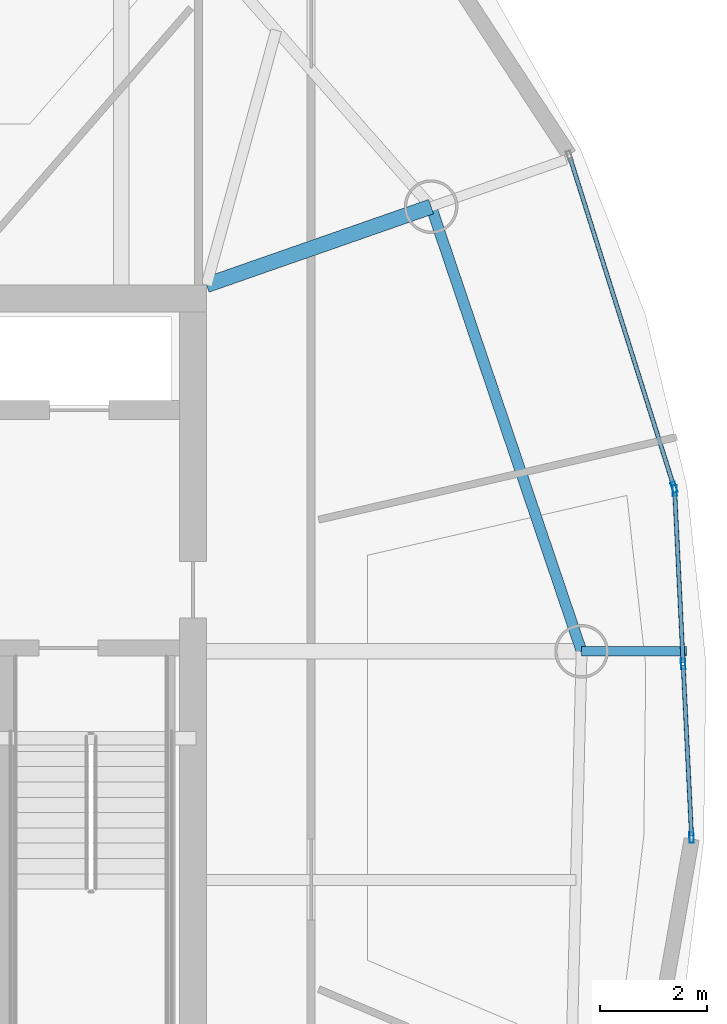
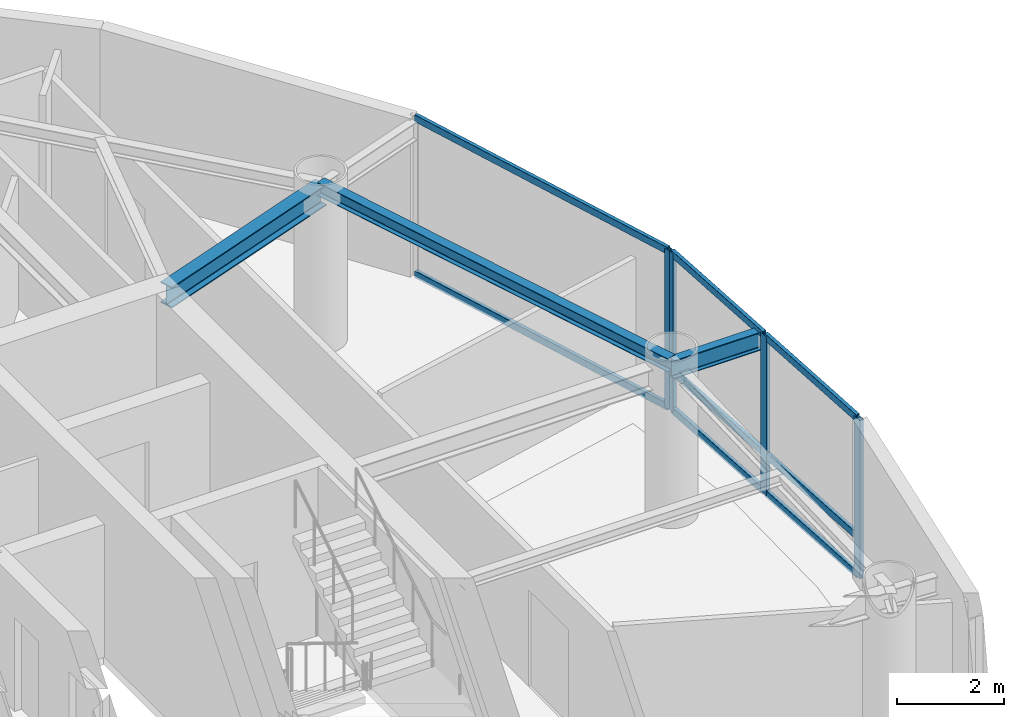
# One storey, part 7 of 19: 12 members, 3 beams, 2 elements without a shape of their own.
"""IFC4 building model written with IfcOpenShell, lengths in metres."""

from ifc_helpers import new_model, si_unit, direction, frame, origin, origin_2d, place, context, subcontext, project, spatial, hollow_rectangle, i_section, extrude, material, layer, layer_set, material_profile, profile_set, type_object, element, aggregate, save


model = new_model("IFC4")

# Units and contexts
model_context = context("Model", 3, precision=1e-05, world=origin(), true_north=direction((0.0, 1.0)))
body_context = subcontext(model_context, "Body", "Model", "MODEL_VIEW")
ifc_project = project(units=[si_unit("LENGTHUNIT", "METRE"), si_unit("AREAUNIT", "SQUARE_METRE"), si_unit("VOLUMEUNIT", "CUBIC_METRE"), si_unit("PLANEANGLEUNIT", "RADIAN"), si_unit("MASSUNIT", "GRAM", prefix="KILO")], contexts=[model_context])

# Site, building, storey
site_placement = place(None, origin())
site = spatial("IfcSite", under=ifc_project, at=site_placement, CompositionType="ELEMENT")
building_placement = place(site_placement, origin())
building = spatial("IfcBuilding", under=site, at=building_placement, Name="Bramvorn Convention Spire", CompositionType="ELEMENT")
storey_placement = place(building_placement, frame((0.0, 0.0, 292.10009765625)))
storey = spatial("IfcBuildingStorey", under=building, at=storey_placement, Name="L74", CompositionType="ELEMENT", Elevation=292.10009765625)

# Beams
ifc_material_1 = material(Name="Steel CSA G40.21 Grade 350 (350W)", Category="steel")
ifc_material_profile_1 = material_profile(ifc_material_1, i_section(OverallWidth=0.202880859375, OverallDepth=0.302978515625, WebThickness=0.007568359375, FlangeThickness=0.01318359375, FilletRadius=0.013916015625, at=origin_2d()))
ifc_profile_set_1 = profile_set([ifc_material_profile_1], Name="Steel CSA G40.21 Grade 350 (350W) - W310X60")
beam_type_1 = type_object("IfcBeamType", Name="BM-W310X60", PredefinedType="JOIST", material=ifc_profile_set_1)
beam_1_placement = place(storey_placement, frame((56.234619140625, 26.62939453125, 3.473388671875), z_axis=(-0.320531023763, 0.947238018032, 0.0), x_axis=(-0.947238018032, -0.320531023763, 0.0)))
element("IfcBeam", 1, at=beam_1_placement, inside=storey, type_object=beam_type_1, Name="L74 mega-column ring beam 04", PredefinedType="JOIST", context=body_context, shape_type="SweptSolid", body=[
    extrude(i_section(OverallWidth=0.202880859375, OverallDepth=0.302978515625, WebThickness=0.007568359375, FlangeThickness=0.01318359375, FilletRadius=0.013916015625, at=origin_2d()), origin(), (0.0, 0.0, 1.0), 8.74169921875),
])
ifc_material_profile_2 = material_profile(ifc_material_1, i_section(OverallWidth=0.180908203125, OverallDepth=0.4169921875, WebThickness=0.010986328125, FlangeThickness=0.018310546875, FilletRadius=0.01611328125, at=origin_2d()))
ifc_profile_set_2 = profile_set([ifc_material_profile_2], Name="Steel CSA G40.21 Grade 350 (350W) - W410X85")
beam_type_2 = type_object("IfcBeamType", Name="BM-W410X85", PredefinedType="JOIST", material=ifc_profile_set_2)
beam_2_placement = place(storey_placement, frame((56.234619140625, 26.62939453125, 3.37646484375), z_axis=(1.0, 0.0, 0.0), x_axis=(0.0, 1.0, 0.0)))
element("IfcBeam", 2, at=beam_2_placement, inside=storey, type_object=beam_type_2, Name="L74 Sky-Garden cantilever tip girder MC04", PredefinedType="JOIST", context=body_context, shape_type="SweptSolid", body=[
    extrude(i_section(OverallWidth=0.180908203125, OverallDepth=0.4169921875, WebThickness=0.010986328125, FlangeThickness=0.018310546875, FilletRadius=0.01611328125, at=origin_2d()), origin(), (0.0, 0.0, 1.0), 1.955078125),
])
ifc_material_profile_3 = material_profile(ifc_material_1, i_section(OverallWidth=0.283935546875, OverallDepth=0.47607421875, WebThickness=0.014892578125, FlangeThickness=0.02392578125, FilletRadius=0.01806640625, at=origin_2d()))
ifc_profile_set_3 = profile_set([ifc_material_profile_3], Name="Steel CSA G40.21 Grade 350 (350W) - W460X158")
beam_type_3 = type_object("IfcBeamType", Name="BM-W460X158", PredefinedType="SPANDREL", material=ifc_profile_set_3)
beam_3_placement = place(storey_placement, frame((49.25, 33.449951171875, 3.346923828125), z_axis=(0.944136391877, 0.329554962843, 0.0), x_axis=(-0.329554962843, 0.944136391877, 0.0)))
element("IfcBeam", 3, at=beam_3_placement, inside=storey, type_object=beam_type_3, Name="L74 Sky-Garden back-span radial girder MC05", PredefinedType="SPANDREL", context=body_context, shape_type="SweptSolid", body=[
    extrude(i_section(OverallWidth=0.283935546875, OverallDepth=0.47607421875, WebThickness=0.014892578125, FlangeThickness=0.02392578125, FilletRadius=0.01806640625, at=origin_2d()), origin(), (0.0, 0.0, 1.0), 4.43017578125),
])

# Curtain wall, members
ifc_material_2 = material(Name="Anodised Bronze Unitised Curtain Wall", Category="aluminium")
ifc_layer = layer(ifc_material_2, 0.179931640625)
ifc_layer_set = layer_set([ifc_layer], Name="Anodised Bronze Unitised Curtain Wall - CW-OFF-FRIT")
curtain_wall_type = type_object("IfcCurtainWallType", Name="CW-OFF-FRIT", PredefinedType="USERDEFINED", material=ifc_layer_set)
curtain_wall_1_placement = place(storey_placement, origin())
curtain_wall_1 = element("IfcCurtainWall", 4, at=curtain_wall_1_placement, inside=storey, type_object=curtain_wall_type, Name="L74 fritted glass curtain wall 05", ObjectType="UNITISED CURTAIN WALL", PredefinedType="USERDEFINED")
ifc_material_3 = material(Name="Anodised Bronze Aluminium 6063-T6", Category="aluminium")
ifc_material_profile_4 = material_profile(ifc_material_3, hollow_rectangle(XDim=0.080078125, YDim=0.199951171875, WallThickness=0.00390625, InnerFilletRadius=0.0009765625, OuterFilletRadius=0.00390625, at=origin_2d()))
ifc_profile_set_4 = profile_set([ifc_material_profile_4], Name="Anodised Bronze Aluminium 6063-T6 - CWM80X200")
member_type_1 = type_object("IfcMemberType", Name="CW-MUL-180", PredefinedType="MULLION", material=ifc_profile_set_4)
member_1_placement = place(storey_placement, frame((57.96826171875, 29.622314453125, 0.0), z_axis=(0.0, 0.0, 1.0), x_axis=(0.998812169246, 0.04872628209, 0.0)))
member_1 = element("IfcMember", 5, at=member_1_placement, type_object=member_type_1, Name="CW3 mullion 1", PredefinedType="MULLION", context=body_context, shape_type="SweptSolid", body=[
    extrude(hollow_rectangle(XDim=0.080078125, YDim=0.199951171875, WallThickness=0.00390625, InnerFilletRadius=0.0009765625, OuterFilletRadius=0.00390625, at=origin_2d()), origin(), (0.0, 0.0, 1.0), 3.625),
])
member_2_placement = place(storey_placement, frame((58.1259765625, 26.39306640625, 0.0), z_axis=(0.0, 0.0, 1.0), x_axis=(0.998812169246, 0.04872628209, 0.0)))
member_2 = element("IfcMember", 6, at=member_2_placement, type_object=member_type_1, Name="CW3 mullion 2", PredefinedType="MULLION", context=body_context, shape_type="SweptSolid", body=[
    extrude(hollow_rectangle(XDim=0.080078125, YDim=0.199951171875, WallThickness=0.00390625, InnerFilletRadius=0.0009765625, OuterFilletRadius=0.00390625, at=origin_2d()), origin(), (0.0, 0.0, 1.0), 3.625),
])
member_3_placement = place(storey_placement, frame((58.283447265625, 23.163818359375, 0.0), z_axis=(0.0, 0.0, 1.0), x_axis=(0.998812169246, 0.04872628209, 0.0)))
member_3 = element("IfcMember", 7, at=member_3_placement, type_object=member_type_1, Name="CW3 mullion 3", PredefinedType="MULLION", context=body_context, shape_type="SweptSolid", body=[
    extrude(hollow_rectangle(XDim=0.080078125, YDim=0.199951171875, WallThickness=0.00390625, InnerFilletRadius=0.0009765625, OuterFilletRadius=0.00390625, at=origin_2d()), origin(), (0.0, 0.0, 1.0), 3.625),
])

# Curtain wall, member
curtain_wall_2_placement = place(storey_placement, origin())
curtain_wall_2 = element("IfcCurtainWall", 8, at=curtain_wall_2_placement, inside=storey, type_object=curtain_wall_type, Name="L74 fritted glass curtain wall 06", ObjectType="UNITISED CURTAIN WALL", PredefinedType="USERDEFINED")
member_4_placement = place(storey_placement, frame((57.957763671875, 29.680908203125, 0.0), z_axis=(0.0, 0.0, 1.0), x_axis=(0.953619475094, 0.301014778245, 0.0)))
member_4 = element("IfcMember", 9, at=member_4_placement, type_object=member_type_1, Name="CW3 mullion 2", PredefinedType="MULLION", context=body_context, shape_type="SweptSolid", body=[
    extrude(hollow_rectangle(XDim=0.080078125, YDim=0.199951171875, WallThickness=0.00390625, InnerFilletRadius=0.0009765625, OuterFilletRadius=0.00390625, at=origin_2d()), origin(), (0.0, 0.0, 1.0), 3.625),
])

# Member
ifc_material_profile_5 = material_profile(ifc_material_3, hollow_rectangle(XDim=0.080078125, YDim=0.159912109375, WallThickness=0.00390625, InnerFilletRadius=0.0009765625, OuterFilletRadius=0.00390625, at=origin_2d()))
ifc_profile_set_5 = profile_set([ifc_material_profile_5], Name="Anodised Bronze Aluminium 6063-T6 - CWT80X160")
member_type_2 = type_object("IfcMemberType", Name="CW-TRN-150", PredefinedType="USERDEFINED", material=ifc_profile_set_5)
member_5_placement = place(storey_placement, frame((57.9697265625, 29.59228515625, 0.02978515625), z_axis=(0.04878246488, -0.998809426828, 0.0), x_axis=(0.998809426828, 0.04878246488, 0.0)))
member_5 = element("IfcMember", 10, at=member_5_placement, type_object=member_type_2, Name="CW3 transom 1.1", ObjectType="TRANSOM", PredefinedType="USERDEFINED", context=body_context, shape_type="SweptSolid", body=[
    extrude(hollow_rectangle(XDim=0.080078125, YDim=0.159912109375, WallThickness=0.00390625, InnerFilletRadius=0.0009765625, OuterFilletRadius=0.00390625, at=origin_2d()), origin(), (0.0, 0.0, 1.0), 3.1728515625),
])

member_6_placement = place(storey_placement, frame((57.9697265625, 29.59228515625, 0.89990234375), z_axis=(0.04878246488, -0.998809426828, 0.0), x_axis=(0.998809426828, 0.04878246488, 0.0)))
member_6 = element("IfcMember", 11, at=member_6_placement, type_object=member_type_2, Name="CW3 transom 1.2", ObjectType="TRANSOM", PredefinedType="USERDEFINED", context=body_context, shape_type="SweptSolid", body=[
    extrude(hollow_rectangle(XDim=0.080078125, YDim=0.159912109375, WallThickness=0.00390625, InnerFilletRadius=0.0009765625, OuterFilletRadius=0.00390625, at=origin_2d()), origin(), (0.0, 0.0, 1.0), 3.1728515625),
])

member_7_placement = place(storey_placement, frame((57.9697265625, 29.59228515625, 3.594970703125), z_axis=(0.04878246488, -0.998809426828, 0.0), x_axis=(0.998809426828, 0.04878246488, 0.0)))
member_7 = element("IfcMember", 12, at=member_7_placement, type_object=member_type_2, Name="CW3 transom 1.3", ObjectType="TRANSOM", PredefinedType="USERDEFINED", context=body_context, shape_type="SweptSolid", body=[
    extrude(hollow_rectangle(XDim=0.080078125, YDim=0.159912109375, WallThickness=0.00390625, InnerFilletRadius=0.0009765625, OuterFilletRadius=0.00390625, at=origin_2d()), origin(), (0.0, 0.0, 1.0), 3.1728515625),
])

member_8_placement = place(storey_placement, frame((58.12744140625, 26.363037109375, 0.02978515625), z_axis=(0.048705703603, -0.998813172939, 0.0), x_axis=(0.998813172939, 0.048705703603, 0.0)))
member_8 = element("IfcMember", 13, at=member_8_placement, type_object=member_type_2, Name="CW3 transom 2.1", ObjectType="TRANSOM", PredefinedType="USERDEFINED", context=body_context, shape_type="SweptSolid", body=[
    extrude(hollow_rectangle(XDim=0.080078125, YDim=0.159912109375, WallThickness=0.00390625, InnerFilletRadius=0.0009765625, OuterFilletRadius=0.00390625, at=origin_2d()), origin(), (0.0, 0.0, 1.0), 3.1728515625),
])

member_9_placement = place(storey_placement, frame((58.12744140625, 26.363037109375, 0.89990234375), z_axis=(0.048705703603, -0.998813172939, 0.0), x_axis=(0.998813172939, 0.048705703603, 0.0)))
member_9 = element("IfcMember", 14, at=member_9_placement, type_object=member_type_2, Name="CW3 transom 2.2", ObjectType="TRANSOM", PredefinedType="USERDEFINED", context=body_context, shape_type="SweptSolid", body=[
    extrude(hollow_rectangle(XDim=0.080078125, YDim=0.159912109375, WallThickness=0.00390625, InnerFilletRadius=0.0009765625, OuterFilletRadius=0.00390625, at=origin_2d()), origin(), (0.0, 0.0, 1.0), 3.1728515625),
])

member_10_placement = place(storey_placement, frame((58.12744140625, 26.363037109375, 3.594970703125), z_axis=(0.048705703603, -0.998813172939, 0.0), x_axis=(0.998813172939, 0.048705703603, 0.0)))
member_10 = element("IfcMember", 15, at=member_10_placement, type_object=member_type_2, Name="CW3 transom 2.3", ObjectType="TRANSOM", PredefinedType="USERDEFINED", context=body_context, shape_type="SweptSolid", body=[
    extrude(hollow_rectangle(XDim=0.080078125, YDim=0.159912109375, WallThickness=0.00390625, InnerFilletRadius=0.0009765625, OuterFilletRadius=0.00390625, at=origin_2d()), origin(), (0.0, 0.0, 1.0), 3.1728515625),
])

aggregate(curtain_wall_1, [member_1, member_2, member_3, member_5, member_6, member_7, member_8, member_9, member_10])

member_11_placement = place(storey_placement, frame((56.020263671875, 35.8193359375, 0.02978515625), z_axis=(0.300994588514, -0.953625847849, 0.0), x_axis=(0.953625847849, 0.300994588514, 0.0)))
member_11 = element("IfcMember", 16, at=member_11_placement, type_object=member_type_2, Name="CW3 transom 1.1", ObjectType="TRANSOM", PredefinedType="USERDEFINED", context=body_context, shape_type="SweptSolid", body=[
    extrude(hollow_rectangle(XDim=0.080078125, YDim=0.159912109375, WallThickness=0.00390625, InnerFilletRadius=0.0009765625, OuterFilletRadius=0.00390625, at=origin_2d()), origin(), (0.0, 0.0, 1.0), 6.406982421875),
])

member_12_placement = place(storey_placement, frame((56.020263671875, 35.8193359375, 3.594970703125), z_axis=(0.300994588514, -0.953625847849, 0.0), x_axis=(0.953625847849, 0.300994588514, 0.0)))
member_12 = element("IfcMember", 17, at=member_12_placement, type_object=member_type_2, Name="CW3 transom 1.2", ObjectType="TRANSOM", PredefinedType="USERDEFINED", context=body_context, shape_type="SweptSolid", body=[
    extrude(hollow_rectangle(XDim=0.080078125, YDim=0.159912109375, WallThickness=0.00390625, InnerFilletRadius=0.0009765625, OuterFilletRadius=0.00390625, at=origin_2d()), origin(), (0.0, 0.0, 1.0), 6.406982421875),
])

aggregate(curtain_wall_2, [member_4, member_11, member_12])

save(model, "model.ifc")
